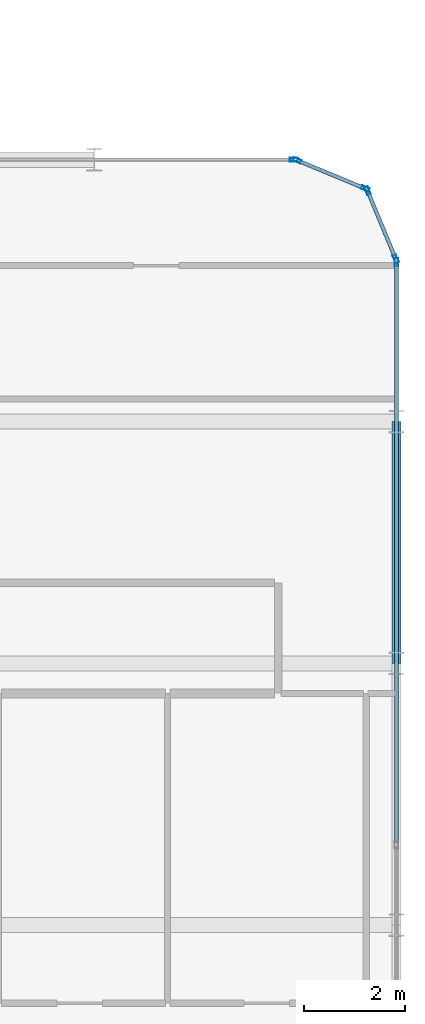
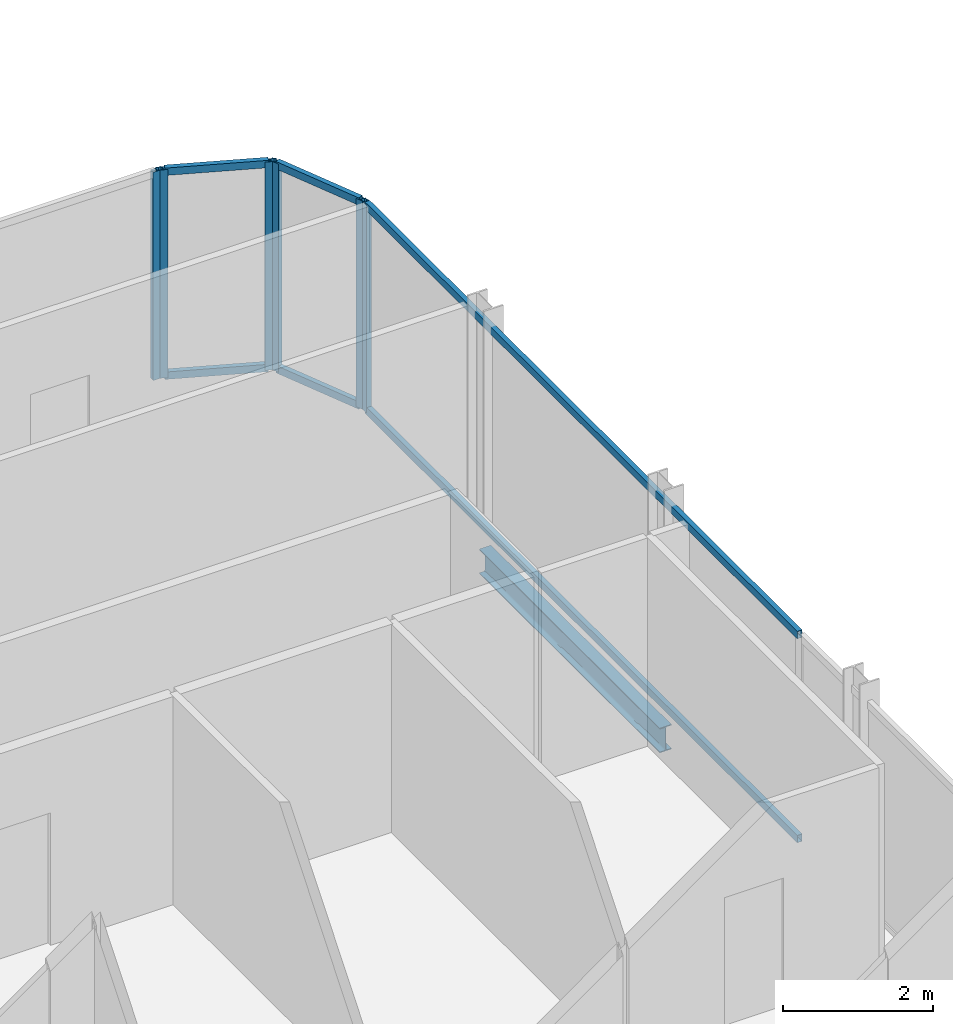
# One storey, part 15 of 29: 12 members, 1 beam, 4 elements without a shape of their own.
"""IFC4 building model written with IfcOpenShell, lengths in metres."""

from ifc_helpers import new_model, si_unit, direction, frame, origin, origin_2d, place, context, subcontext, project, spatial, hollow_rectangle, i_section, extrude, material, layer, layer_set, material_profile, profile_set, type_object, element, aggregate, save


model = new_model("IFC4")

# Units and contexts
model_context = context("Model", 3, precision=1e-05, world=origin(), true_north=direction((0.0, 1.0)))
body_context = subcontext(model_context, "Body", "Model", "MODEL_VIEW")
ifc_project = project(units=[si_unit("LENGTHUNIT", "METRE"), si_unit("AREAUNIT", "SQUARE_METRE"), si_unit("VOLUMEUNIT", "CUBIC_METRE"), si_unit("PLANEANGLEUNIT", "RADIAN"), si_unit("MASSUNIT", "GRAM", prefix="KILO")], contexts=[model_context])

# Site, building, storey
site_placement = place(None, origin())
site = spatial("IfcSite", under=ifc_project, at=site_placement, CompositionType="ELEMENT")
building_placement = place(site_placement, origin())
building = spatial("IfcBuilding", under=site, at=building_placement, Name="Keshet Zoharim Tower", CompositionType="ELEMENT")
storey_placement = place(building_placement, frame((0.0, 0.0, 214.300048828125)))
storey = spatial("IfcBuildingStorey", under=building, at=storey_placement, Name="L53", CompositionType="ELEMENT", Elevation=214.300048828125)

# Beam
ifc_material_1 = material(Name="Steel S355", Category="steel")
ifc_material_profile_1 = material_profile(ifc_material_1, i_section(OverallWidth=0.179931640625, OverallDepth=0.39990234375, WebThickness=0.008544921875, FlangeThickness=0.013427734375, FilletRadius=0.02099609375, at=origin_2d()), Name="IPE400")
ifc_profile_set_1 = profile_set([ifc_material_profile_1], Name="Steel S355")
beam_type = type_object("IfcBeamType", Name="BM-PRI-IP400", PredefinedType="BEAM", material=ifc_profile_set_1)
beam_placement = place(storey_placement, frame((57.0, 17.89990234375, -0.510009765625), z_axis=(0.0, 1.0, 0.0), x_axis=(-1.0, 0.0, 0.0)))
element("IfcBeam", 1, at=beam_placement, inside=storey, type_object=beam_type, Name="L53 Primary Girder Y-015", PredefinedType="BEAM", context=body_context, shape_type="SweptSolid", body=[
    extrude(i_section(OverallWidth=0.179931640625, OverallDepth=0.39990234375, WebThickness=0.008544921875, FlangeThickness=0.013427734375, FilletRadius=0.02099609375, at=origin_2d()), origin(), (0.0, 0.0, 1.0), 4.800048828125),
])

# Curtain wall, members
ifc_material_2 = material(Name="Aluminium 6063-T6", Category="aluminium")
ifc_layer = layer(ifc_material_2, 0.139892578125)
ifc_layer_set = layer_set([ifc_layer], Name="Aluminium 6063-T6")
curtain_wall_type = type_object("IfcCurtainWallType", Name="CW-SYS-05", PredefinedType="NOTDEFINED", material=ifc_layer_set)
curtain_wall_1_placement = place(storey_placement, origin())
curtain_wall_1 = element("IfcCurtainWall", 2, at=curtain_wall_1_placement, inside=storey, type_object=curtain_wall_type, Name="L53 Unitised Curtain Wall 01", PredefinedType="NOTDEFINED")
ifc_material_profile_2 = material_profile(ifc_material_2, hollow_rectangle(XDim=0.074951171875, YDim=0.159912109375, WallThickness=0.00390625, at=origin_2d()), Name="MUL-75x160")
ifc_profile_set_2 = profile_set([ifc_material_profile_2], Name="Aluminium 6063-T6")
member_type_1 = type_object("IfcMemberType", Name="CWM-M15", PredefinedType="MULLION", material=ifc_profile_set_2)
member_1_placement = place(storey_placement, frame((55.0322265625, 27.88671875, 0.0), z_axis=(0.0, 0.0, 1.0), x_axis=(0.382851849847, 0.92380975372, 0.0)))
member_1 = element("IfcMember", 3, at=member_1_placement, type_object=member_type_1, Name="CW-05 mullion 1", PredefinedType="MULLION", context=body_context, shape_type="SweptSolid", body=[
    extrude(hollow_rectangle(XDim=0.074951171875, YDim=0.159912109375, WallThickness=0.00390625, at=origin_2d()), origin(), (0.0, 0.0, 1.0), 3.3798828125),
])
member_2_placement = place(storey_placement, frame((56.381591796875, 27.327392578125, 0.0), z_axis=(0.0, 0.0, 1.0), x_axis=(0.382851849847, 0.92380975372, 0.0)))
member_2 = element("IfcMember", 4, at=member_2_placement, type_object=member_type_1, Name="CW-05 mullion 2", PredefinedType="MULLION", context=body_context, shape_type="SweptSolid", body=[
    extrude(hollow_rectangle(XDim=0.074951171875, YDim=0.159912109375, WallThickness=0.00390625, at=origin_2d()), origin(), (0.0, 0.0, 1.0), 3.3798828125),
])

curtain_wall_2_placement = place(storey_placement, origin())
curtain_wall_2 = element("IfcCurtainWall", 5, at=curtain_wall_2_placement, inside=storey, type_object=curtain_wall_type, Name="L53 Unitised Curtain Wall 02", PredefinedType="NOTDEFINED")
member_3_placement = place(storey_placement, frame((56.427490234375, 27.28173828125, 0.0), z_axis=(0.0, 0.0, 1.0), x_axis=(0.92380975372, 0.382851849847, 0.0)))
member_3 = element("IfcMember", 6, at=member_3_placement, type_object=member_type_1, Name="CW-05 mullion 1", PredefinedType="MULLION", context=body_context, shape_type="SweptSolid", body=[
    extrude(hollow_rectangle(XDim=0.074951171875, YDim=0.159912109375, WallThickness=0.00390625, at=origin_2d()), origin(), (0.0, 0.0, 1.0), 3.3798828125),
])
member_4_placement = place(storey_placement, frame((56.986572265625, 25.932373046875, 0.0), z_axis=(0.0, 0.0, 1.0), x_axis=(0.92380975372, 0.382851849847, 0.0)))
member_4 = element("IfcMember", 7, at=member_4_placement, type_object=member_type_1, Name="CW-05 mullion 2", PredefinedType="MULLION", context=body_context, shape_type="SweptSolid", body=[
    extrude(hollow_rectangle(XDim=0.074951171875, YDim=0.159912109375, WallThickness=0.00390625, at=origin_2d()), origin(), (0.0, 0.0, 1.0), 3.3798828125),
])

# Curtain wall, member
curtain_wall_3_placement = place(storey_placement, origin())
curtain_wall_3 = element("IfcCurtainWall", 8, at=curtain_wall_3_placement, inside=storey, type_object=curtain_wall_type, Name="L53 Unitised Curtain Wall 03", PredefinedType="NOTDEFINED")
member_5_placement = place(storey_placement, frame((57.0, 25.864990234375, 0.0), z_axis=(0.0, 0.0, 1.0), x_axis=(1.0, 0.0, 0.0)))
member_5 = element("IfcMember", 9, at=member_5_placement, type_object=member_type_1, Name="CW-05 mullion 1", PredefinedType="MULLION", context=body_context, shape_type="SweptSolid", body=[
    extrude(hollow_rectangle(XDim=0.074951171875, YDim=0.159912109375, WallThickness=0.00390625, at=origin_2d()), origin(), (0.0, 0.0, 1.0), 3.3798828125),
])

curtain_wall_4_placement = place(storey_placement, origin())
curtain_wall_4 = element("IfcCurtainWall", 10, at=curtain_wall_4_placement, inside=storey, type_object=curtain_wall_type, Name="L53 Unitised Curtain Wall 20 Part 2", PredefinedType="NOTDEFINED")
member_6_placement = place(storey_placement, frame((54.965087890625, 27.89990234375, 0.0), z_axis=(0.0, 0.0, 1.0), x_axis=(0.0, 1.0, 0.0)))
member_6 = element("IfcMember", 11, at=member_6_placement, type_object=member_type_1, Name="CW-05 mullion 2", PredefinedType="MULLION", context=body_context, shape_type="SweptSolid", body=[
    extrude(hollow_rectangle(XDim=0.074951171875, YDim=0.159912109375, WallThickness=0.00390625, at=origin_2d()), origin(), (0.0, 0.0, 1.0), 3.3798828125),
])
aggregate(curtain_wall_4, [member_6])

# Member
ifc_material_profile_3 = material_profile(ifc_material_2, hollow_rectangle(XDim=0.074951171875, YDim=0.1201171875, WallThickness=0.00390625, at=origin_2d()), Name="TRN-75x120")
ifc_profile_set_3 = profile_set([ifc_material_profile_3], Name="Aluminium 6063-T6")
member_type_2 = type_object("IfcMemberType", Name="CWT-T12", PredefinedType="USERDEFINED", material=ifc_profile_set_3)
member_7_placement = place(storey_placement, frame((55.064697265625, 27.873291015625, 0.034912109375), z_axis=(0.92379209995, -0.382894445076, 0.0), x_axis=(0.382894445076, 0.92379209995, 0.0)))
member_7 = element("IfcMember", 12, at=member_7_placement, type_object=member_type_2, Name="CW-05 transom 1.1", ObjectType="TRANSOM", PredefinedType="USERDEFINED", context=body_context, shape_type="SweptSolid", body=[
    extrude(hollow_rectangle(XDim=0.074951171875, YDim=0.1201171875, WallThickness=0.00390625, at=origin_2d()), origin(), (0.0, 0.0, 1.0), 1.390625),
])

member_8_placement = place(storey_placement, frame((55.064697265625, 27.873291015625, 3.344970703125), z_axis=(0.92379209995, -0.382894445076, 0.0), x_axis=(0.382894445076, 0.92379209995, 0.0)))
member_8 = element("IfcMember", 13, at=member_8_placement, type_object=member_type_2, Name="CW-05 transom 1.2", ObjectType="TRANSOM", PredefinedType="USERDEFINED", context=body_context, shape_type="SweptSolid", body=[
    extrude(hollow_rectangle(XDim=0.074951171875, YDim=0.1201171875, WallThickness=0.00390625, at=origin_2d()), origin(), (0.0, 0.0, 1.0), 1.390625),
])

aggregate(curtain_wall_1, [member_1, member_2, member_7, member_8])

member_9_placement = place(storey_placement, frame((56.44091796875, 27.249267578125, 0.034912109375), z_axis=(0.382744609247, -0.923854189844, 0.0), x_axis=(0.923854189844, 0.382744609247, 0.0)))
member_9 = element("IfcMember", 14, at=member_9_placement, type_object=member_type_2, Name="CW-05 transom 1.1", ObjectType="TRANSOM", PredefinedType="USERDEFINED", context=body_context, shape_type="SweptSolid", body=[
    extrude(hollow_rectangle(XDim=0.074951171875, YDim=0.1201171875, WallThickness=0.00390625, at=origin_2d()), origin(), (0.0, 0.0, 1.0), 1.390625),
])

member_10_placement = place(storey_placement, frame((56.44091796875, 27.249267578125, 3.344970703125), z_axis=(0.382744609247, -0.923854189844, 0.0), x_axis=(0.923854189844, 0.382744609247, 0.0)))
member_10 = element("IfcMember", 15, at=member_10_placement, type_object=member_type_2, Name="CW-05 transom 1.2", ObjectType="TRANSOM", PredefinedType="USERDEFINED", context=body_context, shape_type="SweptSolid", body=[
    extrude(hollow_rectangle(XDim=0.074951171875, YDim=0.1201171875, WallThickness=0.00390625, at=origin_2d()), origin(), (0.0, 0.0, 1.0), 1.390625),
])

aggregate(curtain_wall_2, [member_3, member_4, member_9, member_10])

member_11_placement = place(storey_placement, frame((57.0, 25.830078125, 0.034912109375), z_axis=(0.0, -1.0, 0.0), x_axis=(1.0, 0.0, 0.0)))
member_11 = element("IfcMember", 16, at=member_11_placement, type_object=member_type_2, Name="CW-05 transom 1.1", ObjectType="TRANSOM", PredefinedType="USERDEFINED", context=body_context, shape_type="SweptSolid", body=[
    extrude(hollow_rectangle(XDim=0.074951171875, YDim=0.1201171875, WallThickness=0.00390625, at=origin_2d()), origin(), (0.0, 0.0, 1.0), 11.4951171875),
])

member_12_placement = place(storey_placement, frame((57.0, 25.830078125, 3.344970703125), z_axis=(0.0, -1.0, 0.0), x_axis=(1.0, 0.0, 0.0)))
member_12 = element("IfcMember", 17, at=member_12_placement, type_object=member_type_2, Name="CW-05 transom 1.2", ObjectType="TRANSOM", PredefinedType="USERDEFINED", context=body_context, shape_type="SweptSolid", body=[
    extrude(hollow_rectangle(XDim=0.074951171875, YDim=0.1201171875, WallThickness=0.00390625, at=origin_2d()), origin(), (0.0, 0.0, 1.0), 11.4951171875),
])

aggregate(curtain_wall_3, [member_5, member_11, member_12])

save(model, "model.ifc")
